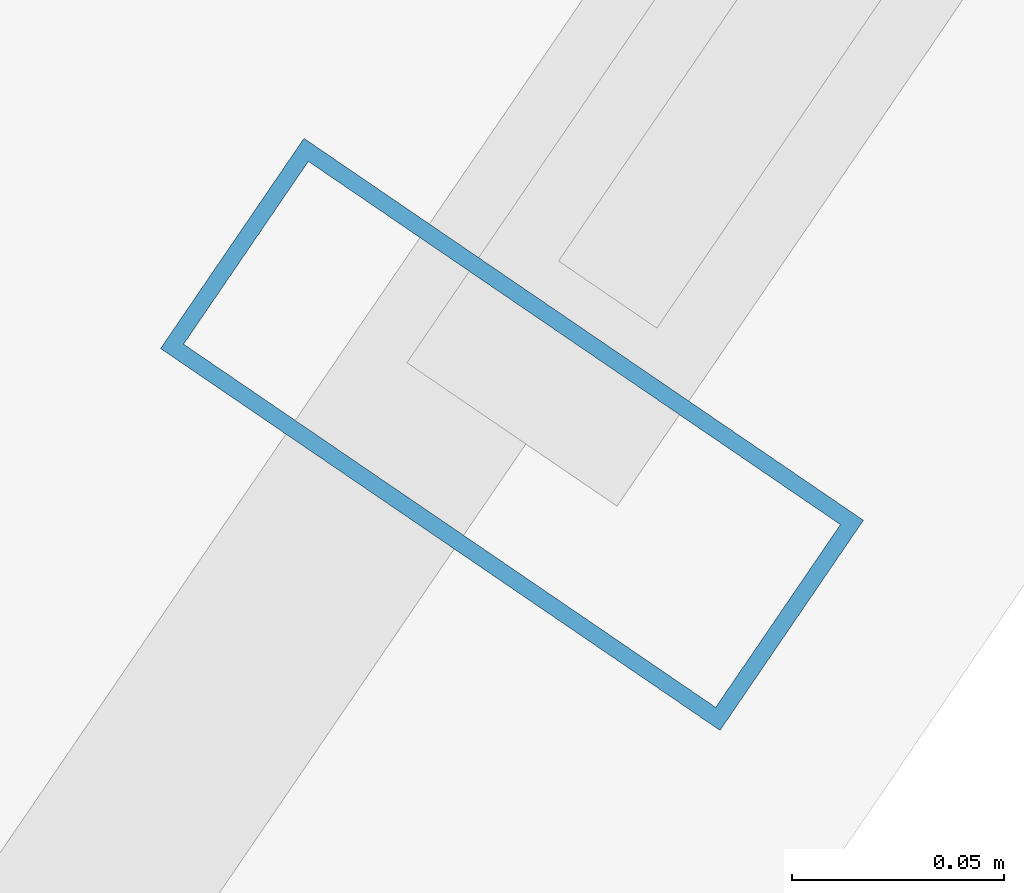
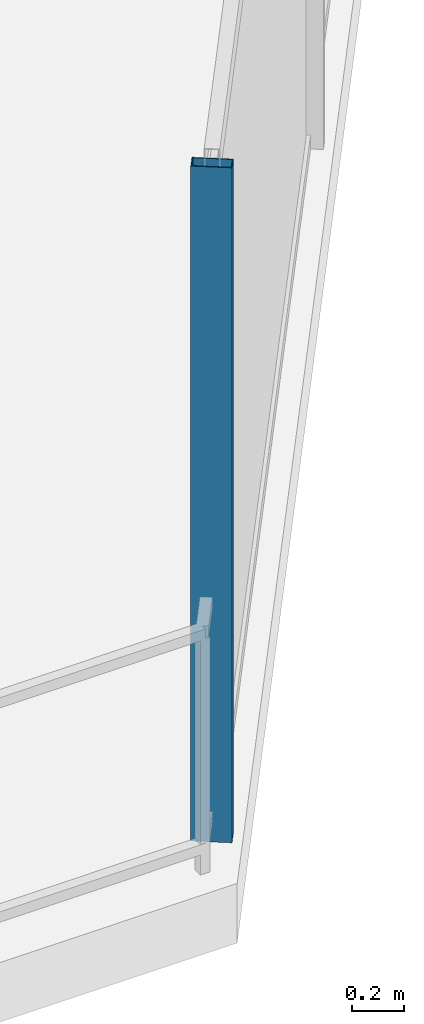
# One storey, part 5 of 30: 1 member, 1 element without a shape of its own.
"""IFC4 building model written with IfcOpenShell, lengths in metres."""

import ifcopenshell
import ifcopenshell.guid

model = None  # the IFC model being written
_history = None  # IfcOwnerHistory: only IFC2X3 demands one
_inside = {}  # id of a spatial element -> (the spatial element, [elements in it])
_under = {}  # id of a project, library or spatial element -> (it, [spatial elements below it])
_declared = {}  # id of a project -> (the project, [libraries it declares])
_typed = {}  # id of a type object -> (the type object, [elements of that type])
_made_of = {}  # id of a material, layer set ... -> (it, [elements and type objects made of it])


def new_model(schema):
    """Start an empty IFC model of exactly this schema.

    Asked for "IFC4X3", IfcOpenShell would pick the latest addendum, in which some entities
    have other attributes; the version numbers below select the first issue.
    IFC2X3 requires an IfcOwnerHistory on every rooted entity: one is made here for all.
    """
    global model, _history
    if schema == "IFC4X3":
        model = ifcopenshell.file(schema_version=(4, 3, 0, 0))
    else:
        model = ifcopenshell.file(schema=schema)
    _inside.clear()
    _under.clear()
    _declared.clear()
    _typed.clear()
    _made_of.clear()
    _history = None
    if model.schema == "IFC2X3":
        org = make("IfcOrganization", Name="unknown")
        user = make(
            "IfcPersonAndOrganization",
            ThePerson=make("IfcPerson", FamilyName="unknown"),
            TheOrganization=org,
        )
        app = make(
            "IfcApplication",
            ApplicationDeveloper=org,
            Version="unknown",
            ApplicationFullName="unknown",
            ApplicationIdentifier="unknown",
        )
        _history = make(
            "IfcOwnerHistory",
            OwningUser=user,
            OwningApplication=app,
            ChangeAction="ADDED",
            CreationDate=0,
        )
    return model


def make(cls, **values):
    """One entity of the class cls with the attributes given. An attribute that is None is left unset."""
    return model.create_entity(
        cls, **{name: value for name, value in values.items() if value is not None}
    )


def rooted(cls, **values):
    """An entity with a GlobalId (a new one), such as an element, a storey or a relation."""
    return make(cls, GlobalId=ifcopenshell.guid.new(), OwnerHistory=_history, **values)


def si_unit(unit_type, name, prefix=None):
    """IfcSIUnit, for example si_unit("LENGTHUNIT", "METRE", prefix="MILLI")."""
    return make("IfcSIUnit", UnitType=unit_type, Prefix=prefix, Name=name)


def assignment(units):
    """IfcUnitAssignment: the units of a project."""
    return None if units is None else make("IfcUnitAssignment", Units=units)


def point(xyz):
    """IfcCartesianPoint."""
    return None if xyz is None else make("IfcCartesianPoint", Coordinates=xyz)


def direction(xyz):
    """IfcDirection."""
    return None if xyz is None else make("IfcDirection", DirectionRatios=xyz)


def frame(location, z_axis=None, x_axis=None):
    """IfcAxis2Placement3D, a coordinate frame: its origin and axes. An axis left out is left unset."""
    return make(
        "IfcAxis2Placement3D",
        Location=point(location),
        Axis=direction(z_axis),
        RefDirection=direction(x_axis),
    )


def frame_2d(location, x_axis=None):
    """IfcAxis2Placement2D, a coordinate frame in the plane: its origin and x axis."""
    return make(
        "IfcAxis2Placement2D", Location=point(location), RefDirection=direction(x_axis)
    )


def origin():
    """The frame at (0, 0, 0) with its axes left unset."""
    return frame((0.0, 0.0, 0.0))


def origin_2d():
    """The frame at (0, 0) in the plane with its x axis left unset."""
    return frame_2d((0.0, 0.0))


def place(relative_to, where):
    """IfcLocalPlacement: puts the frame where relative to a parent placement (None: the world)."""
    return make(
        "IfcLocalPlacement", PlacementRelTo=relative_to, RelativePlacement=where
    )


def context(
    kind, dimensions, precision=None, world=None, true_north=None, identifier=None
):
    """IfcGeometricRepresentationContext, for example the 3D "Model" context."""
    return make(
        "IfcGeometricRepresentationContext",
        ContextIdentifier=identifier,
        ContextType=kind,
        CoordinateSpaceDimension=dimensions,
        Precision=precision,
        WorldCoordinateSystem=world,
        TrueNorth=true_north,
    )


def subcontext(parent, identifier, kind, view, scale=None):
    """IfcGeometricRepresentationSubContext, for example "Body" below "Model"."""
    return make(
        "IfcGeometricRepresentationSubContext",
        ContextIdentifier=identifier,
        ContextType=kind,
        ParentContext=parent,
        TargetScale=scale,
        TargetView=view,
    )


def project(units=None, contexts=None):
    """IfcProject with its units and contexts."""
    return rooted(
        "IfcProject",
        Name="project",
        RepresentationContexts=contexts,
        UnitsInContext=assignment(units),
    )


def spatial(cls, under=None, at=None, **own):
    """A site, building, storey or space (cls), placed at a placement, below another one or the project."""
    s = rooted(cls, ObjectPlacement=at, **own)
    if under is not None:
        _under.setdefault(under.id(), (under, []))[1].append(s)
    return s


def profile(cls, at=None, kind="AREA", **sizes):
    """A parametric profile (cls). Its sizes go by their IFC names, for example OverallWidth=200.0."""
    return make(cls, ProfileType=kind, Position=at, **sizes)


def hollow_rectangle(**sizes):
    """IfcRectangleHollowProfileDef."""
    return profile("IfcRectangleHollowProfileDef", **sizes)


def extrude(swept, where, along, depth):
    """IfcExtrudedAreaSolid: the profile swept, set in the frame where, extruded along a direction by depth."""
    return make(
        "IfcExtrudedAreaSolid",
        SweptArea=swept,
        Position=where,
        ExtrudedDirection=direction(along),
        Depth=depth,
    )


def shape(context_of_items, identifier, shape_type, items):
    """IfcShapeRepresentation: the items that make up one representation, for example the "Body"."""
    return make(
        "IfcShapeRepresentation",
        ContextOfItems=context_of_items,
        RepresentationIdentifier=identifier,
        RepresentationType=shape_type,
        Items=items,
    )


def material(Name=None, Category=None):
    """IfcMaterial."""
    return make("IfcMaterial", Name=Name, Category=Category)


def layer(
    of_material, thickness, ventilated=None, Name=None, Category=None, Priority=None
):
    """IfcMaterialLayer: one layer of a wall or slab, of a material (None: an air gap)."""
    return make(
        "IfcMaterialLayer",
        Material=of_material,
        LayerThickness=thickness,
        IsVentilated=ventilated,
        Name=Name,
        Category=Category,
        Priority=Priority,
    )


def layer_set(layers, Name=None):
    """IfcMaterialLayerSet."""
    return make("IfcMaterialLayerSet", MaterialLayers=layers, LayerSetName=Name)


def material_profile(
    of_material, cross_section, Name=None, Category=None, Priority=None
):
    """IfcMaterialProfile: a cross section and its material."""
    return make(
        "IfcMaterialProfile",
        Name=Name,
        Material=of_material,
        Profile=cross_section,
        Priority=Priority,
        Category=Category,
    )


def profile_set(profiles, Name=None, composite=None):
    """IfcMaterialProfileSet."""
    return make(
        "IfcMaterialProfileSet",
        Name=Name,
        MaterialProfiles=profiles,
        CompositeProfile=composite,
    )


def made_of(thing, what):
    """Note that an element or type object is made of a material, layer set ...; save() writes the relation."""
    if what is not None:
        _made_of.setdefault(what.id(), (what, []))[1].append(thing)
    return thing


def type_object(cls, material=None, **own):
    """A type object (cls), such as IfcWallType, which elements share."""
    return made_of(rooted(cls, **own), material)


def element(
    cls,
    number,
    at=None,
    inside=None,
    cuts=None,
    type_object=None,
    material=None,
    context=None,
    identifier="Body",
    shape_type=None,
    held_by="IfcProductDefinitionShape",
    body=None,
    shapes=None,
    **own,
):
    """One element of the class cls, such as IfcWall. Its Tag is "e" and its number.

    at: its placement. inside: the storey or other place that contains it. cuts: it is an
    opening in that element (IfcRelVoidsElement). A single representation is given by context,
    identifier, shape_type and body (its items); several are given by shapes. held_by: the class
    of the entity that holds the representations. save() writes the other relations.
    """
    e = rooted(cls, Tag="e%d" % number, ObjectPlacement=at, **own)
    if body is not None:
        shapes = [shape(context, identifier, shape_type, body)]
    if shapes is not None:
        e.Representation = make(held_by, Representations=shapes)
    if inside is not None:
        _inside.setdefault(inside.id(), (inside, []))[1].append(e)
    if cuts is not None:
        rooted(
            "IfcRelVoidsElement", RelatingBuildingElement=cuts, RelatedOpeningElement=e
        )
    if type_object is not None:
        _typed.setdefault(type_object.id(), (type_object, []))[1].append(e)
    return made_of(e, material)


def aggregate(whole, parts):
    """IfcRelAggregates: a whole, such as a stair, and the parts it consists of."""
    return rooted("IfcRelAggregates", RelatingObject=whole, RelatedObjects=parts)


def save(model, path):
    """Write the relations noted so far, then the file.

    IfcRelAggregates (storeys below a building ...), IfcRelContainedInSpatialStructure (elements
    in a storey), IfcRelDefinesByType, IfcRelAssociatesMaterial and IfcRelDeclares: one each for
    every whole, place, type object, material and project.
    """
    for whole, parts in _under.values():
        aggregate(whole, parts)
    for where, things in _inside.values():
        rooted(
            "IfcRelContainedInSpatialStructure",
            RelatedElements=things,
            RelatingStructure=where,
        )
    for kind, things in _typed.values():
        rooted("IfcRelDefinesByType", RelatedObjects=things, RelatingType=kind)
    for what, things in _made_of.values():
        rooted("IfcRelAssociatesMaterial", RelatedObjects=things, RelatingMaterial=what)
    for by, libraries in _declared.values():
        rooted("IfcRelDeclares", RelatingContext=by, RelatedDefinitions=libraries)
    model.write(path)


model = new_model("IFC4")

# Units and contexts
model_context = context("Model", 3, precision=1e-05, world=origin(), true_north=direction((0.0, 1.0)))
body_context = subcontext(model_context, "Body", "Model", "MODEL_VIEW")
ifc_project = project(units=[si_unit("LENGTHUNIT", "METRE"), si_unit("AREAUNIT", "SQUARE_METRE"), si_unit("VOLUMEUNIT", "CUBIC_METRE"), si_unit("PLANEANGLEUNIT", "RADIAN"), si_unit("MASSUNIT", "GRAM", prefix="KILO")], contexts=[model_context])

# Site, building, storey
site_placement = place(None, origin())
site = spatial("IfcSite", under=ifc_project, at=site_placement, CompositionType="ELEMENT")
building_placement = place(site_placement, origin())
building = spatial("IfcBuilding", under=site, at=building_placement, Name="Qarnah Convention Tower", CompositionType="ELEMENT")
storey_placement = place(building_placement, frame((0.0, 0.0, 51.14990234375)))
storey = spatial("IfcBuildingStorey", under=building, at=storey_placement, Name="L12", CompositionType="ELEMENT", Elevation=51.14990234375)

# Curtain wall, member
ifc_material_1 = material(Name="Tempered Low-E dark glass", Category="glass")
ifc_layer = layer(ifc_material_1, 0.16796875)
ifc_layer_set = layer_set([ifc_layer], Name="Tempered Low-E dark glass")
curtain_wall_type = type_object("IfcCurtainWallType", Name="CWS-01", PredefinedType="NOTDEFINED", material=ifc_layer_set)
curtain_wall_placement = place(storey_placement, origin())
curtain_wall = element("IfcCurtainWall", 1, at=curtain_wall_placement, inside=storey, type_object=curtain_wall_type, Name="L12 unitised curtain wall CW-L12-F4", PredefinedType="NOTDEFINED")
ifc_material_2 = material(Name="Black anodised aluminium", Category="aluminium")
ifc_material_profile = material_profile(ifc_material_2, hollow_rectangle(XDim=0.06005859375, YDim=0.159912109375, WallThickness=0.00390625, at=origin_2d()), Name="MUL-60X160")
ifc_profile_set = profile_set([ifc_material_profile], Name="Black anodised aluminium")
member_type = type_object("IfcMemberType", Name="MUL-T1", PredefinedType="MULLION", material=ifc_profile_set)
member_placement = place(storey_placement, frame((44.014892578125, 0.925048828125, 0.0), z_axis=(0.0, 0.0, 1.0), x_axis=(-0.563804705, -0.825908139335, 0.0)))
member = element("IfcMember", 2, at=member_placement, type_object=member_type, Name="CW-L12-F4 mullion 4", PredefinedType="MULLION", context=body_context, shape_type="SweptSolid", body=[
    extrude(hollow_rectangle(XDim=0.06005859375, YDim=0.159912109375, WallThickness=0.00390625, at=origin_2d()), origin(), (0.0, 0.0, 1.0), 3.170166015625),
])
aggregate(curtain_wall, [member])

save(model, "model.ifc")
